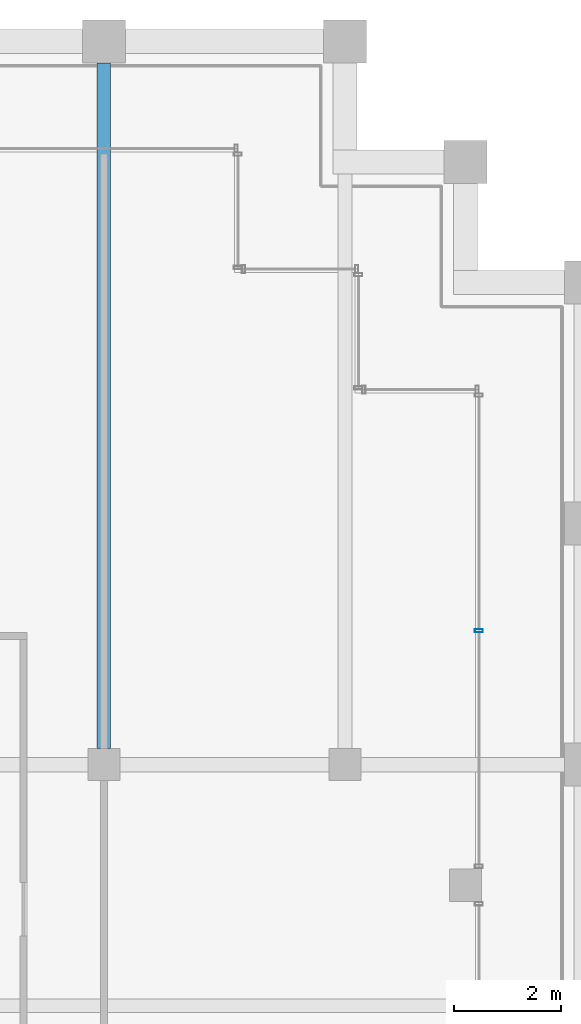
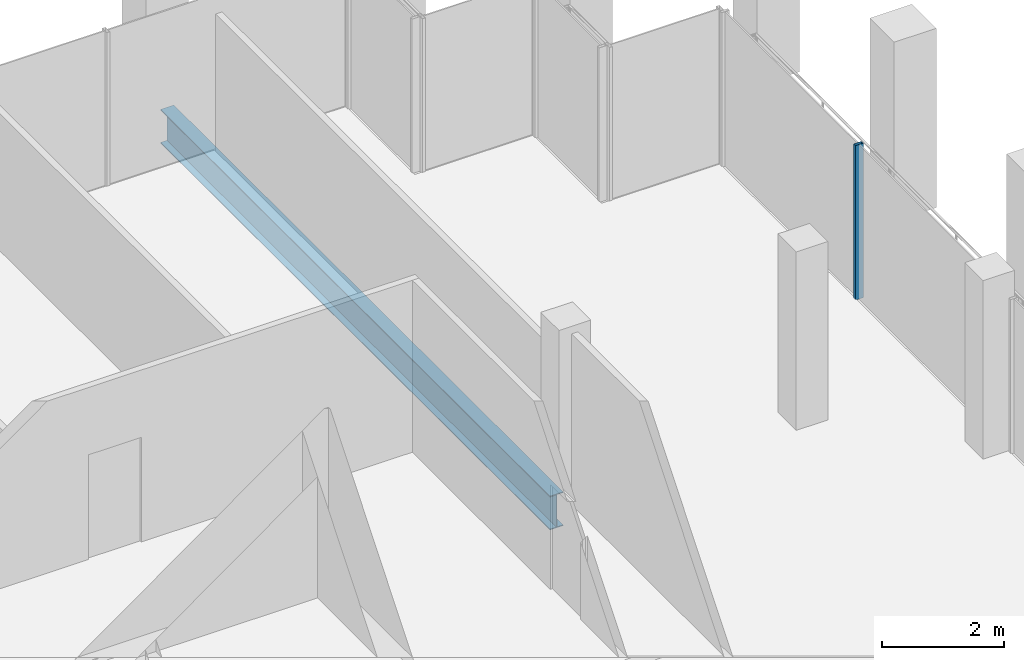
# One storey, part 24 of 40: 1 beam, 1 member, 1 element without a shape of its own.
"""IFC4 building model written with IfcOpenShell, lengths in metres."""

from ifc_helpers import new_model, si_unit, direction, frame, origin, origin_2d, place, context, subcontext, project, spatial, hollow_rectangle, i_section, extrude, material, material_profile, profile_set, type_object, element, aggregate, save


model = new_model("IFC4")

# Units and contexts
model_context = context("Model", 3, precision=1e-05, world=origin(), true_north=direction((0.0, 1.0)))
body_context = subcontext(model_context, "Body", "Model", "MODEL_VIEW")
ifc_project = project(units=[si_unit("LENGTHUNIT", "METRE"), si_unit("AREAUNIT", "SQUARE_METRE"), si_unit("VOLUMEUNIT", "CUBIC_METRE"), si_unit("PLANEANGLEUNIT", "RADIAN"), si_unit("MASSUNIT", "GRAM", prefix="KILO")], contexts=[model_context])

# Site, building, storey
site_placement = place(None, origin())
site = spatial("IfcSite", under=ifc_project, at=site_placement, CompositionType="ELEMENT")
building_placement = place(site_placement, origin())
building = spatial("IfcBuilding", under=site, at=building_placement, Name="Altepetl Exchange Towers", CompositionType="ELEMENT")
storey_placement = place(building_placement, frame((0.0, 0.0, 199.199951171875)))
storey = spatial("IfcBuildingStorey", under=building, at=storey_placement, Name="L50", CompositionType="ELEMENT", Elevation=199.199951171875)

# Beam
ifc_material_1 = material(Name="Steel S355", Category="steel")
ifc_material_profile_1 = material_profile(ifc_material_1, i_section(OverallWidth=0.2529296875, OverallDepth=0.677978515625, WebThickness=0.01171875, FlangeThickness=0.016357421875, at=origin_2d()), Name="W27X84")
ifc_profile_set_1 = profile_set([ifc_material_profile_1], Name="Steel S355")
beam_type = type_object("IfcBeamType", Name="Floor beam W27X84", PredefinedType="BEAM", material=ifc_profile_set_1)
beam_placement = place(storey_placement, frame((63.0, 58.800048828125, -0.489013671875), z_axis=(0.0, 1.0, 0.0), x_axis=(-1.0, 0.0, 0.0)))
element("IfcBeam", 1, at=beam_placement, inside=storey, type_object=beam_type, Name="bm:A:L50:004", PredefinedType="BEAM", context=body_context, shape_type="SweptSolid", body=[
    extrude(i_section(OverallWidth=0.2529296875, OverallDepth=0.677978515625, WebThickness=0.01171875, FlangeThickness=0.016357421875, at=origin_2d()), origin(), (0.0, 0.0, 1.0), 12.800048828125),
])

# Curtain wall, member
ifc_material_2 = material(Name="Aluminium 6063-T6 glazing", Category="aluminium")
curtain_wall_type = type_object("IfcCurtainWallType", Name="Loggia glazing system", PredefinedType="NOTDEFINED", material=ifc_material_2)
curtain_wall_placement = place(storey_placement, origin())
curtain_wall = element("IfcCurtainWall", 2, at=curtain_wall_placement, inside=storey, type_object=curtain_wall_type, Name="CW1 run", PredefinedType="NOTDEFINED")
ifc_material_3 = material(Name="Aluminium 6063-T6", Category="aluminium")
ifc_material_profile_2 = material_profile(ifc_material_3, hollow_rectangle(XDim=0.06005859375, YDim=0.14990234375, WallThickness=0.0029296875, at=origin_2d()), Name="Mullion 60x150 aluminium")
ifc_profile_set_2 = profile_set([ifc_material_profile_2], Name="Aluminium 6063-T6")
member_type = type_object("IfcMemberType", Name="Mullion 60x150 aluminium", PredefinedType="MULLION", material=ifc_profile_set_2)
member_placement = place(storey_placement, frame((70.0, 60.99755859375, 0.0), z_axis=(0.0, 0.0, 1.0), x_axis=(0.0, 1.0, 0.0)))
member = element("IfcMember", 3, at=member_placement, type_object=member_type, Name="MU1 mullion", PredefinedType="MULLION", context=body_context, shape_type="SweptSolid", body=[
    extrude(hollow_rectangle(XDim=0.06005859375, YDim=0.14990234375, WallThickness=0.0029296875, at=origin_2d()), origin(), (0.0, 0.0, 1.0), 3.10009765625),
])
aggregate(curtain_wall, [member])

save(model, "model.ifc")
